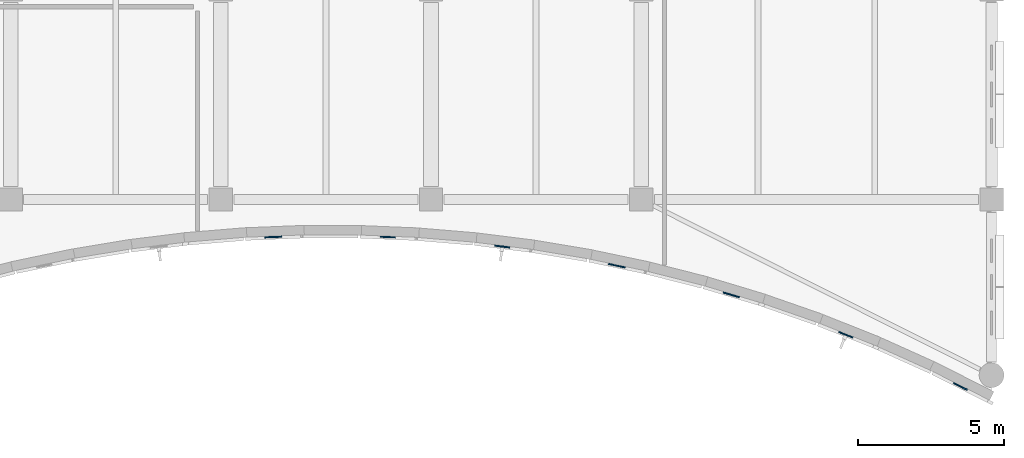
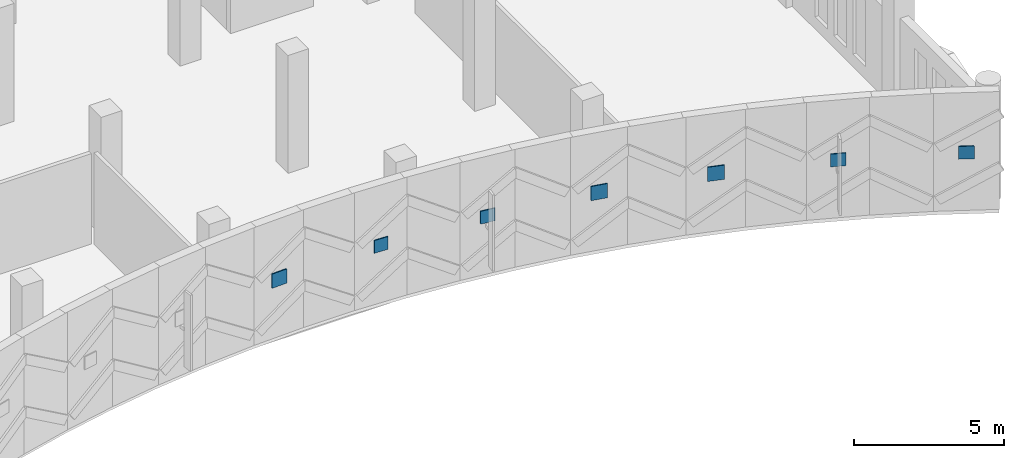
# One storey, part 145 of 220: 7 plates.
"""IFC4 building model written with IfcOpenShell, lengths in metres."""

from ifc_helpers import new_model, si_unit, direction, frame, origin, origin_2d, place, context, subcontext, project, spatial, rectangle, extrude, material, layer, layer_set, type_object, element, save


model = new_model("IFC4")

# Units and contexts
model_context = context("Model", 3, precision=1e-05, world=origin(), true_north=direction((0.0, 1.0)))
body_context = subcontext(model_context, "Body", "Model", "MODEL_VIEW")
ifc_project = project(units=[si_unit("LENGTHUNIT", "METRE"), si_unit("AREAUNIT", "SQUARE_METRE"), si_unit("VOLUMEUNIT", "CUBIC_METRE"), si_unit("PLANEANGLEUNIT", "RADIAN"), si_unit("MASSUNIT", "GRAM", prefix="KILO")], contexts=[model_context])

# Site, building, storey
site_placement = place(None, origin())
site = spatial("IfcSite", under=ifc_project, at=site_placement, CompositionType="ELEMENT")
building_placement = place(site_placement, origin())
building = spatial("IfcBuilding", under=site, at=building_placement, Name="Cendralis Lancet Convention Centre", CompositionType="ELEMENT")
storey_placement = place(building_placement, frame((0.0, 0.0, 5.39990234375)))
storey = spatial("IfcBuildingStorey", under=building, at=storey_placement, Name="L01", CompositionType="ELEMENT", Elevation=5.39990234375)

# Plates
ifc_material_1 = material(Name="Warm buff sandstone chevron cassette", Category="masonry")
ifc_layer_1 = layer(ifc_material_1, 0.044921875, Name="Warm buff sandstone chevron cassette")
ifc_layer_set_1 = layer_set([ifc_layer_1], Name="Warm buff sandstone chevron cassette")
plate_type_1 = type_object("IfcPlateType", Name="ARC-PL-CHV1", PredefinedType="SHEET", material=ifc_layer_set_1)
plate_placement = place(storey_placement, frame((195.9619140625, 4.93408203125, 2.090087890625), z_axis=(0.0, 0.0, 1.0), x_axis=(0.978623998626, -0.205657650751, 0.0)))
element("IfcPlate", 1, at=plate_placement, inside=storey, type_object=plate_type_1, Name="Chevron Keystone Cassette CHV-S1 #0148", PredefinedType="SHEET", context=body_context, shape_type="SweptSolid", body=[
    extrude(rectangle(XDim=0.580078125, YDim=0.044921875, at=origin_2d()), origin(), (0.0, 0.0, 1.0), 0.580078125),
])
ifc_material_2 = material(Name="Dark Andean slate chevron cassette", Category="masonry")
ifc_layer_2 = layer(ifc_material_2, 0.048095703125, Name="Dark Andean slate chevron cassette")
ifc_layer_set_2 = layer_set([ifc_layer_2], Name="Dark Andean slate chevron cassette")
plate_type_2 = type_object("IfcPlateType", Name="ARC-PL-CHV2", PredefinedType="SHEET", material=ifc_layer_set_2)
for number, where, z_axis, x_axis, name in (
    (2, (184.19189453125, 5.915283203125, 2.090087890625), (0.0, 0.0, 1.0), (0.99917537251, 0.040602647325, 0.0), "Chevron Keystone Cassette CHV-D1 #0139"),
    (3, (199.88525390625, 3.934814453125, 2.090087890625), (0.0, 0.0, 1.0), (0.957651803047, -0.287928852531, 0.0), "Chevron Keystone Cassette CHV-D1 #0151"),
):
    element("IfcPlate", number, at=place(storey_placement, frame(where, z_axis=z_axis, x_axis=x_axis)), inside=storey, type_object=plate_type_2, Name=name, PredefinedType="SHEET", context=body_context, shape_type="SweptSolid", body=[
        extrude(rectangle(XDim=0.580078125, YDim=0.048095703125, at=origin_2d()), origin(), (0.0, 0.0, 1.0), 0.580078125),
    ])
ifc_layer_3 = layer(ifc_material_1, 0.044921875, Name="Warm buff sandstone chevron cassette")
ifc_layer_set_3 = layer_set([ifc_layer_3], Name="Warm buff sandstone chevron cassette")
plate_type_3 = type_object("IfcPlateType", Name="ARC-PL-CHV3", PredefinedType="SHEET", material=ifc_layer_set_3)
for number, where, z_axis, x_axis, name in (
    (4, (188.115234375, 5.914306640625, 2.1201171875), (0.0, 0.0, 1.0), (0.99913448503, -0.041596644372, 0.0), "Chevron Keystone Cassette CHV-S2 #0142"),
    (5, (203.80859375, 2.567626953125, 2.1201171875), (0.0, 0.0, 1.0), (0.929287369176, -0.369357530706, 0.0), "Chevron Keystone Cassette CHV-S2 #0154"),
):
    element("IfcPlate", number, at=place(storey_placement, frame(where, z_axis=z_axis, x_axis=x_axis)), inside=storey, type_object=plate_type_3, Name=name, PredefinedType="SHEET", context=body_context, shape_type="SweptSolid", body=[
        extrude(rectangle(XDim=0.52001953125, YDim=0.044921875, at=origin_2d()), origin(), (0.0, 0.0, 1.0), 0.52001953125),
    ])
ifc_layer_4 = layer(ifc_material_2, 0.048095703125, Name="Dark Andean slate chevron cassette")
ifc_layer_set_4 = layer_set([ifc_layer_4], Name="Dark Andean slate chevron cassette")
plate_type_4 = type_object("IfcPlateType", Name="ARC-PL-CHV4", PredefinedType="SHEET", material=ifc_layer_set_4)
for number, where, z_axis, x_axis, name in (
    (6, (192.038818359375, 5.5888671875, 2.1201171875), (0.0, 0.0, 1.0), (0.992347031249, -0.123480239601, 0.0), "Chevron Keystone Cassette CHV-D2 #0145"),
    (7, (207.73193359375, 0.797607421875, 2.1201171875), (0.0, 0.0, 1.0), (0.892152595906, -0.4517341537, 0.0), "Chevron Keystone Cassette CHV-D2 #0157"),
):
    element("IfcPlate", number, at=place(storey_placement, frame(where, z_axis=z_axis, x_axis=x_axis)), inside=storey, type_object=plate_type_4, Name=name, PredefinedType="SHEET", context=body_context, shape_type="SweptSolid", body=[
        extrude(rectangle(XDim=0.52001953125, YDim=0.048095703125, at=origin_2d()), origin(), (0.0, 0.0, 1.0), 0.52001953125),
    ])

save(model, "model.ifc")
